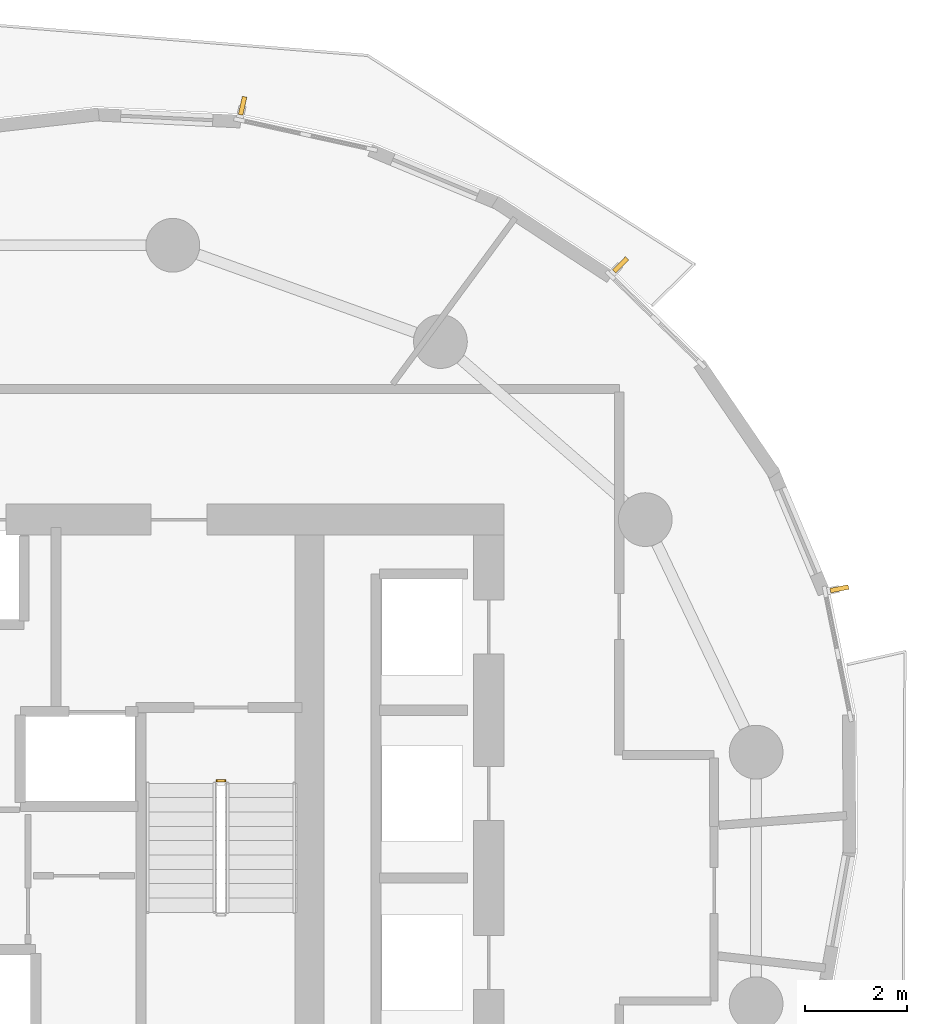
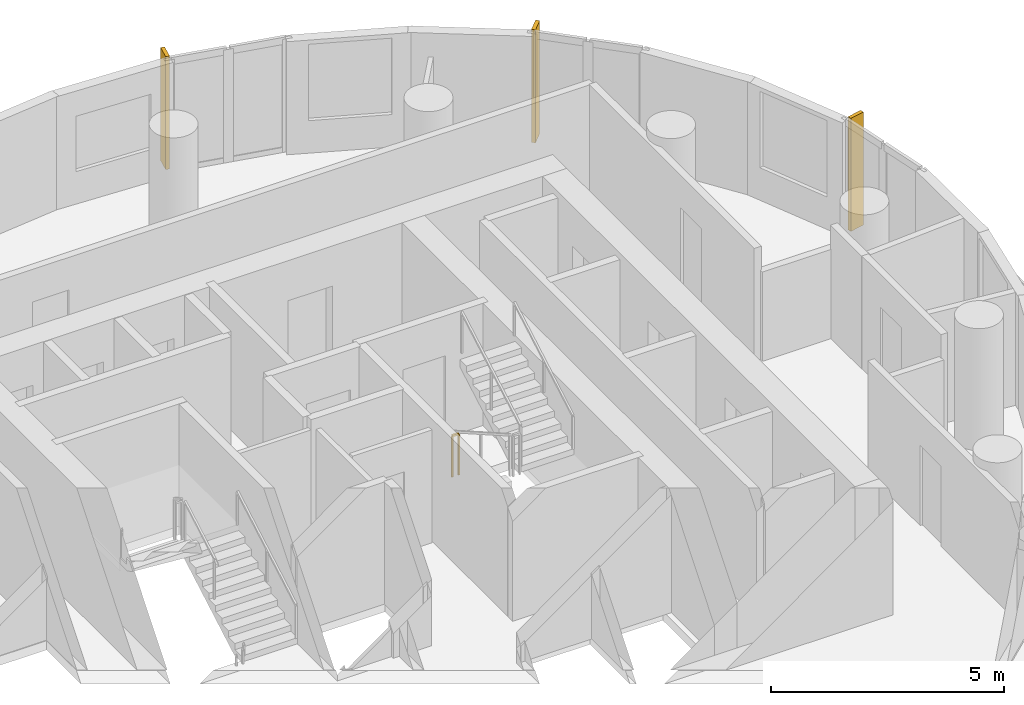
# One storey, part 11 of 11: 3 shading devices, 1 railing.
"""IFC4 building model written with IfcOpenShell, lengths in metres."""

from ifc_helpers import new_model, si_unit, direction, frame, origin, origin_2d, place, context, subcontext, project, spatial, rectangle, extrude, material, layer, layer_set, type_object, element, save


model = new_model("IFC4")

# Units and contexts
model_context = context("Model", 3, precision=1e-05, world=origin(), true_north=direction((0.0, 1.0)))
body_context = subcontext(model_context, "Body", "Model", "MODEL_VIEW")
ifc_project = project(units=[si_unit("LENGTHUNIT", "METRE"), si_unit("AREAUNIT", "SQUARE_METRE"), si_unit("VOLUMEUNIT", "CUBIC_METRE"), si_unit("PLANEANGLEUNIT", "RADIAN"), si_unit("MASSUNIT", "GRAM", prefix="KILO")], contexts=[model_context])

# Site, building, storey
site_placement = place(None, origin())
site = spatial("IfcSite", under=ifc_project, at=site_placement, CompositionType="ELEMENT")
building_placement = place(site_placement, origin())
building = spatial("IfcBuilding", under=site, at=building_placement, Name="Veldorim Arch Residences", CompositionType="ELEMENT")
storey_placement = place(building_placement, frame((0.0, 0.0, 116.9599609375)))
storey = spatial("IfcBuildingStorey", under=building, at=storey_placement, Name="L34", CompositionType="ELEMENT", Elevation=116.9599609375)

# Railing
ifc_material_1 = material(Name="Steel S355", Category="steel")
railing_type = type_object("IfcRailingType", Name="Galvanised Steel Stair Safety Guardrail 1100", PredefinedType="GUARDRAIL", material=ifc_material_1)
railing_placement = place(storey_placement, frame((35.68994140625, 25.89990234375, 0.0)))
element("IfcRailing", 1, at=railing_placement, inside=storey, type_object=railing_type, Name="L34 ST-2 stair guard 4", PredefinedType="GUARDRAIL", context=body_context, shape_type="SweptSolid", body=[
    extrude(rectangle(XDim=0.048095703125, YDim=0.048095703125, at=origin_2d()), frame((0.0, 0.0, 1.076171875), z_axis=(1.0, 0.0, 0.0), x_axis=(0.0, 1.0, 0.0)), (0.0, 0.0, 1.0), 0.16015625),
    extrude(rectangle(XDim=0.0419921875, YDim=0.0419921875, at=origin_2d()), origin(), (0.0, 0.0, 1.0), 1.052001953125),
    extrude(rectangle(XDim=0.0419921875, YDim=0.0419921875, at=origin_2d()), frame((0.16015625, 0.0, 0.0)), (0.0, 0.0, 1.0), 1.052001953125),
])

# Shading devices
ifc_material_2 = material(Name="Terracotta Ceramic", Category="masonry")
ifc_layer = layer(ifc_material_2, 0.090087890625, Name="Vertical Extruded Terracotta Baguette Sun-Shading Fin")
ifc_layer_set = layer_set([ifc_layer], Name="Terracotta Ceramic")
shading_device_type = type_object("IfcShadingDeviceType", Name="Vertical Extruded Terracotta Baguette Sun-Shading Fin", PredefinedType="USERDEFINED", material=ifc_layer_set)
for number, where, z_axis, x_axis, name in (
    (2, (43.573974609375, 35.975830078125, 0.0), (0.0, 0.0, 1.0), (0.715570826341, -0.698540186739, 0.0), "L34 vertical terracotta sun-shading fin 02"),
    (3, (36.19189453125, 39.083251953125, 0.0), (0.0, 0.0, 1.0), (0.976484514545, -0.215587552642, 0.0), "L34 vertical terracotta sun-shading fin 05"),
    (4, (47.849609375, 29.647705078125, 0.0), (0.0, 0.0, 1.0), (0.198170582048, -0.980167547112, 0.0), "L34 vertical terracotta sun-shading fin 35"),
):
    element("IfcShadingDevice", number, at=place(storey_placement, frame(where, z_axis=z_axis, x_axis=x_axis)), inside=storey, type_object=shading_device_type, Name=name, ObjectType="FIN", PredefinedType="USERDEFINED", context=body_context, shape_type="SweptSolid", body=[
        extrude(rectangle(XDim=0.090087890625, YDim=0.360107421875, at=origin_2d()), origin(), (0.0, 0.0, 1.0), 2.9599609375),
    ])

save(model, "model.ifc")
